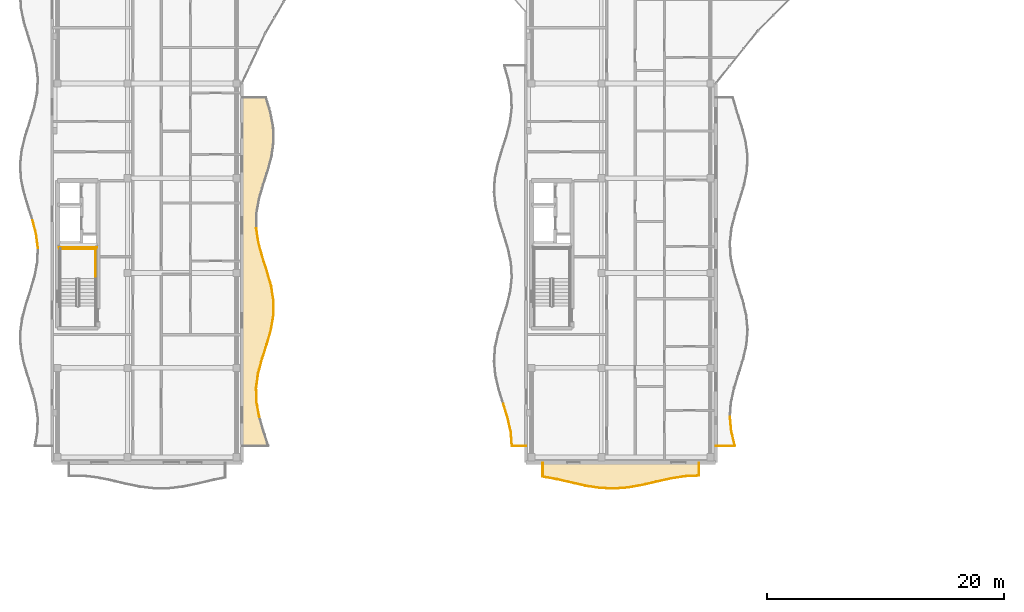
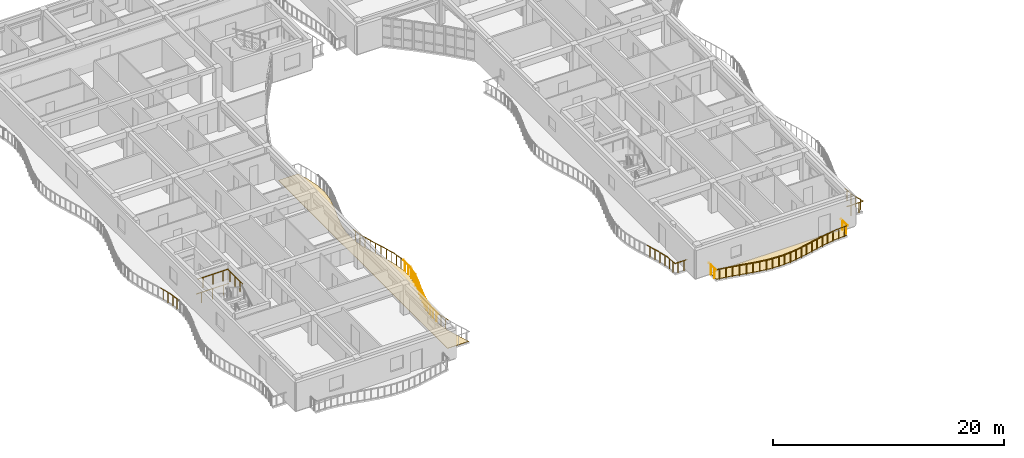
# One storey, part 57 of 79: 38 railings, 2 coverings.
"""IFC4 building model written with IfcOpenShell, lengths in metres."""

from ifc_helpers import new_model, si_unit, direction, frame, origin, origin_2d, place, context, subcontext, project, spatial, polyline, circle, outline, extrude, material, layer, layer_set, type_object, element, save


model = new_model("IFC4")

# Units and contexts
model_context = context("Model", 3, precision=1e-05, world=origin(), true_north=direction((0.0, 1.0)))
body_context = subcontext(model_context, "Body", "Model", "MODEL_VIEW")
ifc_project = project(units=[si_unit("LENGTHUNIT", "METRE"), si_unit("AREAUNIT", "SQUARE_METRE"), si_unit("VOLUMEUNIT", "CUBIC_METRE"), si_unit("PLANEANGLEUNIT", "RADIAN"), si_unit("MASSUNIT", "GRAM", prefix="KILO")], contexts=[model_context])

# Site, building, storey
site_placement = place(None, origin())
site = spatial("IfcSite", under=ifc_project, at=site_placement, CompositionType="ELEMENT")
building_placement = place(site_placement, origin())
building = spatial("IfcBuilding", under=site, at=building_placement, Name="Keldmere Railside Commons", CompositionType="ELEMENT")
storey_placement = place(building_placement, frame((0.0, 0.0, 10.56005859375)))
storey = spatial("IfcBuildingStorey", under=building, at=storey_placement, Name="L03", CompositionType="ELEMENT", Elevation=10.56005859375)

# Railings
ifc_material_1 = material(Name="Steel F-24 (S235)", Category="steel")
railing_type_1 = type_object("IfcRailingType", Name="Balcony & Terrace Steel Balustrade 1100", PredefinedType="BALUSTRADE", material=ifc_material_1)
railing_1_placement = place(storey_placement, frame((25.47998046875, 59.85009765625, 0.0)))
element("IfcRailing", 1, at=railing_1_placement, inside=storey, type_object=railing_type_1, Name="GR-1 GRD-L03-0280", PredefinedType="BALUSTRADE", context=body_context, shape_type="SweptSolid", body=[
    extrude(circle(Radius=0.02392578125, at=origin_2d()), frame((0.0, 0.0, 1.076171875), z_axis=(-0.186239132493, 0.982504445551, 0.0), x_axis=(-0.982504445551, -0.186239132493, 0.0)), (0.0, 0.0, 1.0), 1.24658203125),
    extrude(circle(Radius=0.02099609375, at=origin_2d()), frame((-0.05810546875, 0.30615234375, 0.0)), (0.0, 0.0, 1.0), 1.048095703125),
    extrude(circle(Radius=0.02099609375, at=origin_2d()), frame((-0.174072265625, 0.918701171875, 0.0)), (0.0, 0.0, 1.0), 1.048095703125),
])
railing_2_placement = place(storey_placement, frame((25.247802734375, 61.074951171875, 0.0)))
element("IfcRailing", 2, at=railing_2_placement, inside=storey, type_object=railing_type_1, Name="GR-1 GRD-L03-0281", PredefinedType="BALUSTRADE", context=body_context, shape_type="SweptSolid", body=[
    extrude(circle(Radius=0.02392578125, at=origin_2d()), frame((0.0, 0.0, 1.076171875), z_axis=(-0.029680023557, 0.999559451059, 0.0), x_axis=(-0.999559451059, -0.029680023557, 0.0)), (0.0, 0.0, 1.0), 1.2255859375),
    extrude(circle(Radius=0.02099609375, at=origin_2d()), frame((-0.009033203125, 0.30615234375, 0.0)), (0.0, 0.0, 1.0), 1.048095703125),
    extrude(circle(Radius=0.02099609375, at=origin_2d()), frame((-0.02734375, 0.9189453125, 0.0)), (0.0, 0.0, 1.0), 1.048095703125),
])
railing_3_placement = place(storey_placement, frame((25.21142578125, 62.300048828125, 0.0)))
element("IfcRailing", 3, at=railing_3_placement, inside=storey, type_object=railing_type_1, Name="GR-1 GRD-L03-0282", PredefinedType="BALUSTRADE", context=body_context, shape_type="SweptSolid", body=[
    extrude(circle(Radius=0.02392578125, at=origin_2d()), frame((0.0, 0.0, 1.076171875), z_axis=(0.137412337391, 0.990513932024, 0.0), x_axis=(-0.990513932024, 0.137412337391, 0.0)), (0.0, 0.0, 1.0), 1.236572265625),
    extrude(circle(Radius=0.02099609375, at=origin_2d()), frame((0.04248046875, 0.30615234375, 0.0)), (0.0, 0.0, 1.0), 1.048095703125),
    extrude(circle(Radius=0.02099609375, at=origin_2d()), frame((0.12744140625, 0.918701171875, 0.0)), (0.0, 0.0, 1.0), 1.048095703125),
])
railing_4_placement = place(storey_placement, frame((25.38134765625, 63.52490234375, 0.0)))
element("IfcRailing", 4, at=railing_4_placement, inside=storey, type_object=railing_type_1, Name="GR-1 GRD-L03-0283", PredefinedType="BALUSTRADE", context=body_context, shape_type="SweptSolid", body=[
    extrude(circle(Radius=0.02392578125, at=origin_2d()), frame((0.0, 0.0, 1.076171875), z_axis=(0.258896440649, 0.965905084891, 0.0), x_axis=(-0.965905084891, 0.258896440649, 0.0)), (0.0, 0.0, 1.0), 1.268310546875),
    extrude(circle(Radius=0.02099609375, at=origin_2d()), frame((0.08203125, 0.30615234375, 0.0)), (0.0, 0.0, 1.0), 1.048095703125),
    extrude(circle(Radius=0.02099609375, at=origin_2d()), frame((0.246337890625, 0.9189453125, 0.0)), (0.0, 0.0, 1.0), 1.048095703125),
])
railing_5_placement = place(storey_placement, frame((25.709716796875, 64.75, 0.0)))
element("IfcRailing", 5, at=railing_5_placement, inside=storey, type_object=railing_type_1, Name="GR-1 GRD-L03-0284", PredefinedType="BALUSTRADE", context=body_context, shape_type="SweptSolid", body=[
    extrude(circle(Radius=0.02392578125, at=origin_2d()), frame((0.0, 0.0, 1.076171875), z_axis=(0.307052651276, 0.951692528785, 0.0), x_axis=(-0.951692528785, 0.307052651276, 0.0)), (0.0, 0.0, 1.0), 1.287353515625),
    extrude(circle(Radius=0.02099609375, at=origin_2d()), frame((0.098876953125, 0.30615234375, 0.0)), (0.0, 0.0, 1.0), 1.048095703125),
    extrude(circle(Radius=0.02099609375, at=origin_2d()), frame((0.29638671875, 0.9189453125, 0.0)), (0.0, 0.0, 1.0), 1.048095703125),
])
railing_6_placement = place(storey_placement, frame((26.10498046875, 65.97509765625, 0.0)))
element("IfcRailing", 6, at=railing_6_placement, inside=storey, type_object=railing_type_1, Name="GR-1 GRD-L03-0285", PredefinedType="BALUSTRADE", context=body_context, shape_type="SweptSolid", body=[
    extrude(circle(Radius=0.02392578125, at=origin_2d()), frame((0.0, 0.0, 1.076171875), z_axis=(0.276415793861, 0.961038141233, 0.0), x_axis=(-0.961038141233, 0.276415793861, 0.0)), (0.0, 0.0, 1.0), 1.2744140625),
    extrude(circle(Radius=0.02099609375, at=origin_2d()), frame((0.088134765625, 0.30615234375, 0.0)), (0.0, 0.0, 1.0), 1.048095703125),
    extrude(circle(Radius=0.02099609375, at=origin_2d()), frame((0.26416015625, 0.918701171875, 0.0)), (0.0, 0.0, 1.0), 1.048095703125),
])
railing_7_placement = place(storey_placement, frame((26.457275390625, 67.199951171875, 0.0)))
element("IfcRailing", 7, at=railing_7_placement, inside=storey, type_object=railing_type_1, Name="GR-1 GRD-L03-0286", PredefinedType="BALUSTRADE", context=body_context, shape_type="SweptSolid", body=[
    extrude(circle(Radius=0.02392578125, at=origin_2d()), frame((0.0, 0.0, 1.076171875), z_axis=(0.169492558024, 0.985531467166, 0.0), x_axis=(-0.985531467166, 0.169492558024, 0.0)), (0.0, 0.0, 1.0), 1.2431640625),
    extrude(circle(Radius=0.02099609375, at=origin_2d()), frame((0.052734375, 0.30615234375, 0.0)), (0.0, 0.0, 1.0), 1.048095703125),
    extrude(circle(Radius=0.02099609375, at=origin_2d()), frame((0.157958984375, 0.9189453125, 0.0)), (0.0, 0.0, 1.0), 1.048095703125),
])
railing_8_placement = place(storey_placement, frame((26.66796875, 68.425048828125, 0.0)))
element("IfcRailing", 8, at=railing_8_placement, inside=storey, type_object=railing_type_1, Name="GR-1 GRD-L03-0287", PredefinedType="BALUSTRADE", context=body_context, shape_type="SweptSolid", body=[
    extrude(circle(Radius=0.02392578125, at=origin_2d()), frame((0.0, 0.0, 1.076171875), z_axis=(0.008371243441, 0.999964960528, 0.0), x_axis=(-0.999964960528, 0.008371243441, 0.0)), (0.0, 0.0, 1.0), 1.224853515625),
    extrude(circle(Radius=0.02099609375, at=origin_2d()), frame((0.00244140625, 0.30615234375, 0.0)), (0.0, 0.0, 1.0), 1.048095703125),
    extrude(circle(Radius=0.02099609375, at=origin_2d()), frame((0.0078125, 0.918701171875, 0.0)), (0.0, 0.0, 1.0), 1.048095703125),
])
railing_9_placement = place(storey_placement, frame((26.67822265625, 69.64990234375, 0.0)))
element("IfcRailing", 9, at=railing_9_placement, inside=storey, type_object=railing_type_1, Name="GR-1 GRD-L03-0288", PredefinedType="BALUSTRADE", context=body_context, shape_type="SweptSolid", body=[
    extrude(circle(Radius=0.02392578125, at=origin_2d()), frame((0.0, 0.0, 1.076171875), z_axis=(-0.15532565956, 0.987863320243, 0.0), x_axis=(-0.987863320243, -0.15532565956, 0.0)), (0.0, 0.0, 1.0), 1.240234375),
    extrude(circle(Radius=0.02099609375, at=origin_2d()), frame((-0.048095703125, 0.30615234375, 0.0)), (0.0, 0.0, 1.0), 1.048095703125),
    extrude(circle(Radius=0.02099609375, at=origin_2d()), frame((-0.14453125, 0.9189453125, 0.0)), (0.0, 0.0, 1.0), 1.048095703125),
])
railing_10_placement = place(storey_placement, frame((26.485595703125, 70.875, 0.0)))
element("IfcRailing", 10, at=railing_10_placement, inside=storey, type_object=railing_type_1, Name="GR-1 GRD-L03-0289", PredefinedType="BALUSTRADE", context=body_context, shape_type="SweptSolid", body=[
    extrude(circle(Radius=0.02392578125, at=origin_2d()), frame((0.0, 0.0, 1.076171875), z_axis=(-0.269088828031, 0.963115363095, 0.0), x_axis=(-0.963115363095, -0.269088828031, 0.0)), (0.0, 0.0, 1.0), 1.27197265625),
    extrude(circle(Radius=0.02099609375, at=origin_2d()), frame((-0.08544921875, 0.30615234375, 0.0)), (0.0, 0.0, 1.0), 1.048095703125),
    extrude(circle(Radius=0.02099609375, at=origin_2d()), frame((-0.2568359375, 0.9189453125, 0.0)), (0.0, 0.0, 1.0), 1.048095703125),
])
railing_11_placement = place(storey_placement, frame((26.143310546875, 72.10009765625, 0.0)))
element("IfcRailing", 11, at=railing_11_placement, inside=storey, type_object=railing_type_1, Name="GR-1 GRD-L03-0290", PredefinedType="BALUSTRADE", context=body_context, shape_type="SweptSolid", body=[
    extrude(circle(Radius=0.02392578125, at=origin_2d()), frame((0.0, 0.0, 1.076171875), z_axis=(-0.307623344655, 0.951508212168, 0.0), x_axis=(-0.951508212168, -0.307623344655, 0.0)), (0.0, 0.0, 1.0), 1.287353515625),
    extrude(circle(Radius=0.02099609375, at=origin_2d()), frame((-0.09912109375, 0.30615234375, 0.0)), (0.0, 0.0, 1.0), 1.048095703125),
    extrude(circle(Radius=0.02099609375, at=origin_2d()), frame((-0.296875, 0.918701171875, 0.0)), (0.0, 0.0, 1.0), 1.048095703125),
])
railing_12_placement = place(storey_placement, frame((25.747314453125, 73.324951171875, 0.0)))
element("IfcRailing", 12, at=railing_12_placement, inside=storey, type_object=railing_type_1, Name="GR-1 GRD-L03-0291", PredefinedType="BALUSTRADE", context=body_context, shape_type="SweptSolid", body=[
    extrude(circle(Radius=0.02392578125, at=origin_2d()), frame((0.0, 0.0, 1.076171875), z_axis=(-0.267128781971, 0.963660839633, 0.0), x_axis=(-0.963660839633, -0.267128781971, 0.0)), (0.0, 0.0, 1.0), 1.271240234375),
    extrude(circle(Radius=0.02099609375, at=origin_2d()), frame((-0.0849609375, 0.30615234375, 0.0)), (0.0, 0.0, 1.0), 1.048095703125),
    extrude(circle(Radius=0.02099609375, at=origin_2d()), frame((-0.254638671875, 0.9189453125, 0.0)), (0.0, 0.0, 1.0), 1.048095703125),
])
railing_13_placement = place(storey_placement, frame((25.40771484375, 74.550048828125, 0.0)))
element("IfcRailing", 13, at=railing_13_placement, inside=storey, type_object=railing_type_1, Name="GR-1 GRD-L03-0292", PredefinedType="BALUSTRADE", context=body_context, shape_type="SweptSolid", body=[
    extrude(circle(Radius=0.02392578125, at=origin_2d()), frame((0.0, 0.0, 1.076171875), z_axis=(-0.151894336175, 0.988396737468, 0.0), x_axis=(-0.988396737468, -0.151894336175, 0.0)), (0.0, 0.0, 1.0), 1.2392578125),
    extrude(circle(Radius=0.02099609375, at=origin_2d()), frame((-0.047119140625, 0.30615234375, 0.0)), (0.0, 0.0, 1.0), 1.048095703125),
    extrude(circle(Radius=0.02099609375, at=origin_2d()), frame((-0.14111328125, 0.918701171875, 0.0)), (0.0, 0.0, 1.0), 1.048095703125),
])
railing_14_placement = place(storey_placement, frame((6.793212890625, 74.083251953125, 0.0)))
element("IfcRailing", 14, at=railing_14_placement, inside=storey, type_object=railing_type_1, Name="GR-1 GRD-L03-0318", PredefinedType="BALUSTRADE", context=body_context, shape_type="SweptSolid", body=[
    extrude(circle(Radius=0.02392578125, at=origin_2d()), frame((0.0, 0.0, 1.076171875), z_axis=(-0.123208919747, 0.992380754597, 0.0), x_axis=(-0.992380754597, -0.123208919747, 0.0)), (0.0, 0.0, 1.0), 1.20068359375),
    extrude(circle(Radius=0.02099609375, at=origin_2d()), frame((-0.037109375, 0.2978515625, 0.0)), (0.0, 0.0, 1.0), 1.048095703125),
    extrude(circle(Radius=0.02099609375, at=origin_2d()), frame((-0.11083984375, 0.893798828125, 0.0)), (0.0, 0.0, 1.0), 1.048095703125),
])
railing_15_placement = place(storey_placement, frame((6.645263671875, 75.27490234375, 0.0)))
element("IfcRailing", 15, at=railing_15_placement, inside=storey, type_object=railing_type_1, Name="GR-1 GRD-L03-0319", PredefinedType="BALUSTRADE", context=body_context, shape_type="SweptSolid", body=[
    extrude(circle(Radius=0.02392578125, at=origin_2d()), frame((0.0, 0.0, 1.076171875), z_axis=(-0.248041145565, 0.968749498119, 0.0), x_axis=(-0.968749498119, -0.248041145565, 0.0)), (0.0, 0.0, 1.0), 1.230224609375),
    extrude(circle(Radius=0.02099609375, at=origin_2d()), frame((-0.076171875, 0.2978515625, 0.0)), (0.0, 0.0, 1.0), 1.048095703125),
    extrude(circle(Radius=0.02099609375, at=origin_2d()), frame((-0.22900390625, 0.89404296875, 0.0)), (0.0, 0.0, 1.0), 1.048095703125),
])
railing_16_placement = place(storey_placement, frame((64.0, 57.39990234375, 0.0)))
element("IfcRailing", 16, at=railing_16_placement, inside=storey, type_object=railing_type_1, Name="GR-1 GRD-L03-1083", PredefinedType="BALUSTRADE", context=body_context, shape_type="SweptSolid", body=[
    extrude(circle(Radius=0.02392578125, at=origin_2d()), frame((0.0, 0.0, 1.076171875), z_axis=(1.0, 0.0, 0.0), x_axis=(0.0, 1.0, 0.0)), (0.0, 0.0, 1.0), 1.6181640625),
    extrude(circle(Radius=0.02099609375, at=origin_2d()), frame((0.404541015625, 0.0, 0.0)), (0.0, 0.0, 1.0), 1.048095703125),
    extrude(circle(Radius=0.02099609375, at=origin_2d()), frame((1.213623046875, 0.0, 0.0)), (0.0, 0.0, 1.0), 1.048095703125),
])
railing_17_placement = place(storey_placement, frame((65.6181640625, 57.39990234375, 0.0)))
element("IfcRailing", 17, at=railing_17_placement, inside=storey, type_object=railing_type_1, Name="GR-1 GRD-L03-1084", PredefinedType="BALUSTRADE", context=body_context, shape_type="SweptSolid", body=[
    extrude(circle(Radius=0.02392578125, at=origin_2d()), frame((0.0, 0.0, 1.076171875), z_axis=(-0.235145413582, 0.971960202103, 0.0), x_axis=(-0.971960202103, -0.235145413582, 0.0)), (0.0, 0.0, 1.0), 1.260498046875),
    extrude(circle(Radius=0.02099609375, at=origin_2d()), frame((-0.07421875, 0.30615234375, 0.0)), (0.0, 0.0, 1.0), 1.048095703125),
    extrude(circle(Radius=0.02099609375, at=origin_2d()), frame((-0.22216796875, 0.9189453125, 0.0)), (0.0, 0.0, 1.0), 1.048095703125),
])
railing_18_placement = place(storey_placement, frame((65.32177734375, 58.625, 0.0)))
element("IfcRailing", 18, at=railing_18_placement, inside=storey, type_object=railing_type_1, Name="GR-1 GRD-L03-1085", PredefinedType="BALUSTRADE", context=body_context, shape_type="SweptSolid", body=[
    extrude(circle(Radius=0.02392578125, at=origin_2d()), frame((0.0, 0.0, 1.076171875), z_axis=(-0.098364808652, 0.995150423011, 0.0), x_axis=(-0.995150423011, -0.098364808652, 0.0)), (0.0, 0.0, 1.0), 1.23095703125),
    extrude(circle(Radius=0.02099609375, at=origin_2d()), frame((-0.0302734375, 0.30615234375, 0.0)), (0.0, 0.0, 1.0), 1.048095703125),
    extrude(circle(Radius=0.02099609375, at=origin_2d()), frame((-0.0908203125, 0.9189453125, 0.0)), (0.0, 0.0, 1.0), 1.048095703125),
])
railing_19_placement = place(storey_placement, frame((48.0, 57.39990234375, 0.0)))
element("IfcRailing", 19, at=railing_19_placement, inside=storey, type_object=railing_type_1, Name="GR-1 GRD-L03-1109", PredefinedType="BALUSTRADE", context=body_context, shape_type="SweptSolid", body=[
    extrude(circle(Radius=0.02392578125, at=origin_2d()), frame((0.0, 0.0, 1.076171875), z_axis=(-1.0, 0.0, 0.0), x_axis=(0.0, -1.0, 0.0)), (0.0, 0.0, 1.0), 1.2001953125),
    extrude(circle(Radius=0.02099609375, at=origin_2d()), frame((-0.300048828125, 0.0, 0.0)), (0.0, 0.0, 1.0), 1.048095703125),
    extrude(circle(Radius=0.02099609375, at=origin_2d()), frame((-0.900146484375, 0.0, 0.0)), (0.0, 0.0, 1.0), 1.048095703125),
])
railing_20_placement = place(storey_placement, frame((46.7998046875, 57.39990234375, 0.0)))
element("IfcRailing", 20, at=railing_20_placement, inside=storey, type_object=railing_type_1, Name="GR-1 GRD-L03-1110", PredefinedType="BALUSTRADE", context=body_context, shape_type="SweptSolid", body=[
    extrude(circle(Radius=0.02392578125, at=origin_2d()), frame((0.0, 0.0, 1.076171875), z_axis=(-0.078809554552, 0.996889690042, 0.0), x_axis=(-0.996889690042, -0.078809554552, 0.0)), (0.0, 0.0, 1.0), 1.192626953125),
    extrude(circle(Radius=0.02099609375, at=origin_2d()), frame((-0.0234375, 0.29736328125, 0.0)), (0.0, 0.0, 1.0), 1.048095703125),
    extrude(circle(Radius=0.02099609375, at=origin_2d()), frame((-0.070556640625, 0.8916015625, 0.0)), (0.0, 0.0, 1.0), 1.048095703125),
])
railing_21_placement = place(storey_placement, frame((46.705810546875, 58.5888671875, 0.0)))
element("IfcRailing", 21, at=railing_21_placement, inside=storey, type_object=railing_type_1, Name="GR-1 GRD-L03-1111", PredefinedType="BALUSTRADE", context=body_context, shape_type="SweptSolid", body=[
    extrude(circle(Radius=0.02392578125, at=origin_2d()), frame((0.0, 0.0, 1.076171875), z_axis=(-0.218796977789, 0.975770404609, 0.0), x_axis=(-0.975770404609, -0.218796977789, 0.0)), (0.0, 0.0, 1.0), 1.218505859375),
    extrude(circle(Radius=0.02099609375, at=origin_2d()), frame((-0.066650390625, 0.29736328125, 0.0)), (0.0, 0.0, 1.0), 1.048095703125),
    extrude(circle(Radius=0.02099609375, at=origin_2d()), frame((-0.199951171875, 0.8916015625, 0.0)), (0.0, 0.0, 1.0), 1.048095703125),
])
railing_22_placement = place(storey_placement, frame((46.439208984375, 59.77783203125, 0.0)))
element("IfcRailing", 22, at=railing_22_placement, inside=storey, type_object=railing_type_1, Name="GR-1 GRD-L03-1112", PredefinedType="BALUSTRADE", context=body_context, shape_type="SweptSolid", body=[
    extrude(circle(Radius=0.02392578125, at=origin_2d()), frame((0.0, 0.0, 1.076171875), z_axis=(-0.296331360522, 0.955085192416, 0.0), x_axis=(-0.955085192416, -0.296331360522, 0.0)), (0.0, 0.0, 1.0), 1.244873046875),
    extrude(circle(Radius=0.02099609375, at=origin_2d()), frame((-0.09228515625, 0.29736328125, 0.0)), (0.0, 0.0, 1.0), 1.048095703125),
    extrude(circle(Radius=0.02099609375, at=origin_2d()), frame((-0.276611328125, 0.8916015625, 0.0)), (0.0, 0.0, 1.0), 1.048095703125),
])
railing_23_placement = place(storey_placement, frame((49.39990234375, 56.0, 0.0)))
element("IfcRailing", 23, at=railing_23_placement, inside=storey, type_object=railing_type_1, Name="GR-1 GRD-L03-1164", PredefinedType="BALUSTRADE", context=body_context, shape_type="SweptSolid", body=[
    extrude(circle(Radius=0.02392578125, at=origin_2d()), frame((0.0, 0.0, 1.076171875), z_axis=(0.0, -1.0, 0.0), x_axis=(1.0, 0.0, 0.0)), (0.0, 0.0, 1.0), 1.1923828125),
    extrude(circle(Radius=0.02099609375, at=origin_2d()), frame((0.0, -0.298095703125, 0.0)), (0.0, 0.0, 1.0), 1.048095703125),
    extrude(circle(Radius=0.02099609375, at=origin_2d()), frame((0.0, -0.894287109375, 0.0)), (0.0, 0.0, 1.0), 1.048095703125),
])
railing_24_placement = place(storey_placement, frame((49.39990234375, 54.8076171875, 0.0)))
element("IfcRailing", 24, at=railing_24_placement, inside=storey, type_object=railing_type_1, Name="GR-1 GRD-L03-1165", PredefinedType="BALUSTRADE", context=body_context, shape_type="SweptSolid", body=[
    extrude(circle(Radius=0.02392578125, at=origin_2d()), frame((0.0, 0.0, 1.076171875), z_axis=(0.984526440257, -0.175236093414, 0.0), x_axis=(0.175236093414, 0.984526440257, 0.0)), (0.0, 0.0, 1.0), 1.218994140625),
    extrude(circle(Radius=0.02099609375, at=origin_2d()), frame((0.300048828125, -0.053466796875, 0.0)), (0.0, 0.0, 1.0), 1.048095703125),
    extrude(circle(Radius=0.02099609375, at=origin_2d()), frame((0.900146484375, -0.16015625, 0.0)), (0.0, 0.0, 1.0), 1.048095703125),
])
railing_25_placement = place(storey_placement, frame((50.60009765625, 54.593994140625, 0.0)))
element("IfcRailing", 25, at=railing_25_placement, inside=storey, type_object=railing_type_1, Name="GR-1 GRD-L03-1166", PredefinedType="BALUSTRADE", context=body_context, shape_type="SweptSolid", body=[
    extrude(circle(Radius=0.02392578125, at=origin_2d()), frame((0.0, 0.0, 1.076171875), z_axis=(0.973965306826, -0.226697113125, 0.0), x_axis=(0.226697113125, 0.973965306826, 0.0)), (0.0, 0.0, 1.0), 1.23193359375),
    extrude(circle(Radius=0.02099609375, at=origin_2d()), frame((0.300048828125, -0.06982421875, 0.0)), (0.0, 0.0, 1.0), 1.048095703125),
    extrude(circle(Radius=0.02099609375, at=origin_2d()), frame((0.89990234375, -0.20947265625, 0.0)), (0.0, 0.0, 1.0), 1.048095703125),
])
railing_26_placement = place(storey_placement, frame((51.800048828125, 54.314697265625, 0.0)))
element("IfcRailing", 26, at=railing_26_placement, inside=storey, type_object=railing_type_1, Name="GR-1 GRD-L03-1167", PredefinedType="BALUSTRADE", context=body_context, shape_type="SweptSolid", body=[
    extrude(circle(Radius=0.02392578125, at=origin_2d()), frame((0.0, 0.0, 1.076171875), z_axis=(0.97568940385, -0.219157904751, 0.0), x_axis=(0.219157904751, 0.97568940385, 0.0)), (0.0, 0.0, 1.0), 1.229736328125),
    extrude(circle(Radius=0.02099609375, at=origin_2d()), frame((0.300048828125, -0.0673828125, 0.0)), (0.0, 0.0, 1.0), 1.048095703125),
    extrude(circle(Radius=0.02099609375, at=origin_2d()), frame((0.89990234375, -0.2021484375, 0.0)), (0.0, 0.0, 1.0), 1.048095703125),
])
railing_27_placement = place(storey_placement, frame((53.0, 54.045166015625, 0.0)))
element("IfcRailing", 27, at=railing_27_placement, inside=storey, type_object=railing_type_1, Name="GR-1 GRD-L03-1168", PredefinedType="BALUSTRADE", context=body_context, shape_type="SweptSolid", body=[
    extrude(circle(Radius=0.02392578125, at=origin_2d()), frame((0.0, 0.0, 1.076171875), z_axis=(0.987949677581, -0.154775432703, 0.0), x_axis=(0.154775432703, 0.987949677581, 0.0)), (0.0, 0.0, 1.0), 1.214599609375),
    extrude(circle(Radius=0.02099609375, at=origin_2d()), frame((0.300048828125, -0.046875, 0.0)), (0.0, 0.0, 1.0), 1.048095703125),
    extrude(circle(Radius=0.02099609375, at=origin_2d()), frame((0.89990234375, -0.14111328125, 0.0)), (0.0, 0.0, 1.0), 1.048095703125),
])
railing_28_placement = place(storey_placement, frame((54.199951171875, 53.857177734375, 0.0)))
element("IfcRailing", 28, at=railing_28_placement, inside=storey, type_object=railing_type_1, Name="GR-1 GRD-L03-1169", PredefinedType="BALUSTRADE", context=body_context, shape_type="SweptSolid", body=[
    extrude(circle(Radius=0.02392578125, at=origin_2d()), frame((0.0, 0.0, 1.076171875), z_axis=(0.99890688444, -0.046744370991, 0.0), x_axis=(0.046744370991, 0.99890688444, 0.0)), (0.0, 0.0, 1.0), 1.201171875),
    extrude(circle(Radius=0.02099609375, at=origin_2d()), frame((0.300048828125, -0.01416015625, 0.0)), (0.0, 0.0, 1.0), 1.048095703125),
    extrude(circle(Radius=0.02099609375, at=origin_2d()), frame((0.89990234375, -0.0419921875, 0.0)), (0.0, 0.0, 1.0), 1.048095703125),
])
railing_29_placement = place(storey_placement, frame((55.39990234375, 53.801025390625, 0.0)))
element("IfcRailing", 29, at=railing_29_placement, inside=storey, type_object=railing_type_1, Name="GR-1 GRD-L03-1170", PredefinedType="BALUSTRADE", context=body_context, shape_type="SweptSolid", body=[
    extrude(circle(Radius=0.02392578125, at=origin_2d()), frame((0.0, 0.0, 1.076171875), z_axis=(0.997118562459, 0.075858897958, 0.0), x_axis=(-0.075858897958, 0.997118562459, 0.0)), (0.0, 0.0, 1.0), 1.20361328125),
    extrude(circle(Radius=0.02099609375, at=origin_2d()), frame((0.300048828125, 0.02294921875, 0.0)), (0.0, 0.0, 1.0), 1.048095703125),
    extrude(circle(Radius=0.02099609375, at=origin_2d()), frame((0.900146484375, 0.068359375, 0.0)), (0.0, 0.0, 1.0), 1.048095703125),
])
railing_30_placement = place(storey_placement, frame((56.60009765625, 53.892333984375, 0.0)))
element("IfcRailing", 30, at=railing_30_placement, inside=storey, type_object=railing_type_1, Name="GR-1 GRD-L03-1171", PredefinedType="BALUSTRADE", context=body_context, shape_type="SweptSolid", body=[
    extrude(circle(Radius=0.02392578125, at=origin_2d()), frame((0.0, 0.0, 1.076171875), z_axis=(0.984520288614, 0.175270651584, 0.0), x_axis=(-0.175270651584, 0.984520288614, 0.0)), (0.0, 0.0, 1.0), 1.21875),
    extrude(circle(Radius=0.02099609375, at=origin_2d()), frame((0.300048828125, 0.053466796875, 0.0)), (0.0, 0.0, 1.0), 1.048095703125),
    extrude(circle(Radius=0.02099609375, at=origin_2d()), frame((0.89990234375, 0.16015625, 0.0)), (0.0, 0.0, 1.0), 1.048095703125),
])
railing_31_placement = place(storey_placement, frame((57.800048828125, 54.10595703125, 0.0)))
element("IfcRailing", 31, at=railing_31_placement, inside=storey, type_object=railing_type_1, Name="GR-1 GRD-L03-1172", PredefinedType="BALUSTRADE", context=body_context, shape_type="SweptSolid", body=[
    extrude(circle(Radius=0.02392578125, at=origin_2d()), frame((0.0, 0.0, 1.076171875), z_axis=(0.973965306826, 0.226697113125, 0.0), x_axis=(-0.226697113125, 0.973965306826, 0.0)), (0.0, 0.0, 1.0), 1.23193359375),
    extrude(circle(Radius=0.02099609375, at=origin_2d()), frame((0.300048828125, 0.06982421875, 0.0)), (0.0, 0.0, 1.0), 1.048095703125),
    extrude(circle(Radius=0.02099609375, at=origin_2d()), frame((0.89990234375, 0.20947265625, 0.0)), (0.0, 0.0, 1.0), 1.048095703125),
])
railing_32_placement = place(storey_placement, frame((59.0, 54.38525390625, 0.0)))
element("IfcRailing", 32, at=railing_32_placement, inside=storey, type_object=railing_type_1, Name="GR-1 GRD-L03-1173", PredefinedType="BALUSTRADE", context=body_context, shape_type="SweptSolid", body=[
    extrude(circle(Radius=0.02392578125, at=origin_2d()), frame((0.0, 0.0, 1.076171875), z_axis=(0.97568940385, 0.219157904751, 0.0), x_axis=(-0.219157904751, 0.97568940385, 0.0)), (0.0, 0.0, 1.0), 1.229736328125),
    extrude(circle(Radius=0.02099609375, at=origin_2d()), frame((0.300048828125, 0.0673828125, 0.0)), (0.0, 0.0, 1.0), 1.048095703125),
    extrude(circle(Radius=0.02099609375, at=origin_2d()), frame((0.89990234375, 0.2021484375, 0.0)), (0.0, 0.0, 1.0), 1.048095703125),
])
railing_33_placement = place(storey_placement, frame((60.199951171875, 54.65478515625, 0.0)))
element("IfcRailing", 33, at=railing_33_placement, inside=storey, type_object=railing_type_1, Name="GR-1 GRD-L03-1174", PredefinedType="BALUSTRADE", context=body_context, shape_type="SweptSolid", body=[
    extrude(circle(Radius=0.02392578125, at=origin_2d()), frame((0.0, 0.0, 1.076171875), z_axis=(0.987918923001, 0.154971615388, 0.0), x_axis=(-0.154971615388, 0.987918923001, 0.0)), (0.0, 0.0, 1.0), 1.214599609375),
    extrude(circle(Radius=0.02099609375, at=origin_2d()), frame((0.300048828125, 0.047119140625, 0.0)), (0.0, 0.0, 1.0), 1.048095703125),
    extrude(circle(Radius=0.02099609375, at=origin_2d()), frame((0.89990234375, 0.14111328125, 0.0)), (0.0, 0.0, 1.0), 1.048095703125),
])
railing_34_placement = place(storey_placement, frame((61.39990234375, 54.843017578125, 0.0)))
element("IfcRailing", 34, at=railing_34_placement, inside=storey, type_object=railing_type_1, Name="GR-1 GRD-L03-1175", PredefinedType="BALUSTRADE", context=body_context, shape_type="SweptSolid", body=[
    extrude(circle(Radius=0.02392578125, at=origin_2d()), frame((0.0, 0.0, 1.076171875), z_axis=(0.998916793821, 0.046532128923, 0.0), x_axis=(-0.046532128923, 0.998916793821, 0.0)), (0.0, 0.0, 1.0), 1.201416015625),
    extrude(circle(Radius=0.02099609375, at=origin_2d()), frame((0.300048828125, 0.013916015625, 0.0)), (0.0, 0.0, 1.0), 1.048095703125),
    extrude(circle(Radius=0.02099609375, at=origin_2d()), frame((0.900146484375, 0.0419921875, 0.0)), (0.0, 0.0, 1.0), 1.048095703125),
])
railing_35_placement = place(storey_placement, frame((62.60009765625, 54.89892578125, 0.0)))
element("IfcRailing", 35, at=railing_35_placement, inside=storey, type_object=railing_type_1, Name="GR-1 GRD-L03-1176", PredefinedType="BALUSTRADE", context=body_context, shape_type="SweptSolid", body=[
    extrude(circle(Radius=0.02392578125, at=origin_2d()), frame((0.0, 0.0, 1.076171875), z_axis=(0.0, 1.0, 0.0), x_axis=(-1.0, 0.0, 0.0)), (0.0, 0.0, 1.0), 1.10107421875),
    extrude(circle(Radius=0.02099609375, at=origin_2d()), frame((0.0, 0.275390625, 0.0)), (0.0, 0.0, 1.0), 1.048095703125),
    extrude(circle(Radius=0.02099609375, at=origin_2d()), frame((0.0, 0.82568359375, 0.0)), (0.0, 0.0, 1.0), 1.048095703125),
])
railing_type_2 = type_object("IfcRailingType", Name="Stair Well Steel Guardrail 1100", PredefinedType="BALUSTRADE", material=ifc_material_1)
railing_36_placement = place(storey_placement, frame((11.64990234375, 71.52001953125, 1.599853515625)))
element("IfcRailing", 36, at=railing_36_placement, inside=storey, type_object=railing_type_2, Name="L03 ST-D1 stair guard 3", PredefinedType="BALUSTRADE", context=body_context, shape_type="SweptSolid", body=[
    extrude(circle(Radius=0.02392578125, at=origin_2d()), frame((0.0, 0.0, 1.076171875), z_axis=(0.0, 1.0, 0.0), x_axis=(-1.0, 0.0, 0.0)), (0.0, 0.0, 1.0), 2.580078125),
    extrude(circle(Radius=0.02099609375, at=origin_2d()), frame((0.0, 0.429931640625, 0.0)), (0.0, 0.0, 1.0), 1.048095703125),
    extrude(circle(Radius=0.02099609375, at=origin_2d()), frame((0.0, 1.2900390625, 0.0)), (0.0, 0.0, 1.0), 1.048095703125),
    extrude(circle(Radius=0.02099609375, at=origin_2d()), frame((0.0, 2.150146484375, 0.0)), (0.0, 0.0, 1.0), 1.048095703125),
])
railing_37_placement = place(storey_placement, frame((11.699951171875, 74.050048828125, 1.599853515625)))
element("IfcRailing", 37, at=railing_37_placement, inside=storey, type_object=railing_type_2, Name="L03 ST-D1 stair guard 5", PredefinedType="BALUSTRADE", context=body_context, shape_type="SweptSolid", body=[
    extrude(circle(Radius=0.02392578125, at=origin_2d()), frame((0.0, 0.0, 1.076171875), z_axis=(-1.0, 0.0, 0.0), x_axis=(0.0, -1.0, 0.0)), (0.0, 0.0, 1.0), 3.050048828125),
    extrude(circle(Radius=0.02099609375, at=origin_2d()), frame((-0.50830078125, 0.0, 0.0)), (0.0, 0.0, 1.0), 1.048095703125),
    extrude(circle(Radius=0.02099609375, at=origin_2d()), frame((-1.52490234375, 0.0, 0.0)), (0.0, 0.0, 1.0), 1.048095703125),
    extrude(circle(Radius=0.02099609375, at=origin_2d()), frame((-2.541748046875, 0.0, 0.0)), (0.0, 0.0, 1.0), 1.048095703125),
])
railing_38_placement = place(storey_placement, frame((11.800048828125, 74.14990234375, 0.0)))
element("IfcRailing", 38, at=railing_38_placement, inside=storey, type_object=railing_type_2, Name="L03 ST-D1 stair guard 12", PredefinedType="BALUSTRADE", context=body_context, shape_type="SweptSolid", body=[
    extrude(circle(Radius=0.02392578125, at=origin_2d()), frame((0.0, 0.0, 1.076171875), z_axis=(-1.0, 0.0, 0.0), x_axis=(0.0, -1.0, 0.0)), (0.0, 0.0, 1.0), 3.25),
    extrude(circle(Radius=0.02099609375, at=origin_2d()), frame((-0.541748046875, 0.0, 0.0)), (0.0, 0.0, 1.0), 1.048095703125),
    extrude(circle(Radius=0.02099609375, at=origin_2d()), frame((-1.625, 0.0, 0.0)), (0.0, 0.0, 1.0), 1.048095703125),
    extrude(circle(Radius=0.02099609375, at=origin_2d()), frame((-2.708251953125, 0.0, 0.0)), (0.0, 0.0, 1.0), 1.048095703125),
])

# Coverings
ifc_material_2 = material(Name="White Precast Concrete C35/45", Category="concrete")
ifc_layer = layer(ifc_material_2, 0.044921875, Name="White Architectural Balcony Ribbon Cladding 45")
ifc_layer_set = layer_set([ifc_layer], Name="White Precast Concrete C35/45")
covering_type = type_object("IfcCoveringType", Name="White Architectural Balcony Ribbon Cladding 45", PredefinedType="FLOORING", material=ifc_layer_set)
covering_1_placement = place(storey_placement, origin())
element("IfcCovering", 39, at=covering_1_placement, inside=storey, type_object=covering_type, Name="CLG-WB D L03 CE White Balcony Ribbon", PredefinedType="FLOORING", context=body_context, shape_type="SweptSolid", body=[
    extrude(outline(polyline([(25.80517578125, 58.61279296875), (25.804931640625, 58.613525390625), (25.441650390625, 59.838623046875), (25.440673828125, 59.842529296875), (25.20849609375, 61.067626953125), (25.2080078125, 61.07080078125), (25.207763671875, 61.07373046875), (25.17138671875, 62.298828125), (25.171630859375, 62.30224609375), (25.171875, 62.305419921875), (25.341796875, 63.530517578125), (25.3427734375, 63.535400390625), (25.671142578125, 64.760498046875), (25.671630859375, 64.76220703125), (26.06689453125, 65.98681640625), (26.418212890625, 67.208984375), (26.6279296875, 68.4287109375), (26.63818359375, 69.64697265625), (26.4462890625, 70.866455078125), (26.10498046875, 72.08837890625), (25.708984375, 73.312744140625), (25.708740234375, 73.314208984375), (25.369140625, 74.539306640625), (25.3681640625, 74.5439453125), (25.179931640625, 75.768798828125), (25.179443359375, 75.772216796875), (25.179443359375, 75.775390625), (25.195068359375, 77.00048828125), (25.1953125, 77.003662109375), (25.195556640625, 77.0068359375), (25.41064453125, 78.23193359375), (25.41162109375, 78.236083984375), (25.76611328125, 79.461181640625), (25.766357421875, 79.46240234375), (26.1611328125, 80.686279296875), (26.48583984375, 81.90771484375), (26.64990234375, 83.126953125), (26.60888671875, 84.345458984375), (26.37353515625, 85.5654296875), (26.017333984375, 86.760009765625), (24.0400390625, 86.760009765625), (24.0400390625, 57.43994140625), (26.181396484375, 57.43994140625), (25.80517578125, 58.61279296875)])), origin(), (0.0, 0.0, 1.0), 0.044921875),
])
covering_2_placement = place(storey_placement, origin())
element("IfcCovering", 40, at=covering_2_placement, inside=storey, type_object=covering_type, Name="CLG-WB C L03 S White Balcony Ribbon", PredefinedType="FLOORING", context=body_context, shape_type="SweptSolid", body=[
    extrude(outline(polyline([(50.60693359375, 54.63330078125), (50.609130859375, 54.633056640625), (51.808837890625, 54.353759765625), (53.007568359375, 54.08447265625), (54.2041015625, 53.89697265625), (55.3994140625, 53.84130859375), (56.594970703125, 53.931884765625), (57.7919921875, 54.145263671875), (58.990966796875, 54.42431640625), (58.9912109375, 54.42431640625), (60.191162109375, 54.69384765625), (60.19384765625, 54.6943359375), (61.393798828125, 54.88232421875), (61.398193359375, 54.8828125), (62.56005859375, 54.93701171875), (62.56005859375, 55.9599609375), (49.43994140625, 55.9599609375), (49.43994140625, 54.84130859375), (50.60693359375, 54.63330078125)])), origin(), (0.0, 0.0, 1.0), 0.044921875),
])

save(model, "model.ifc")
